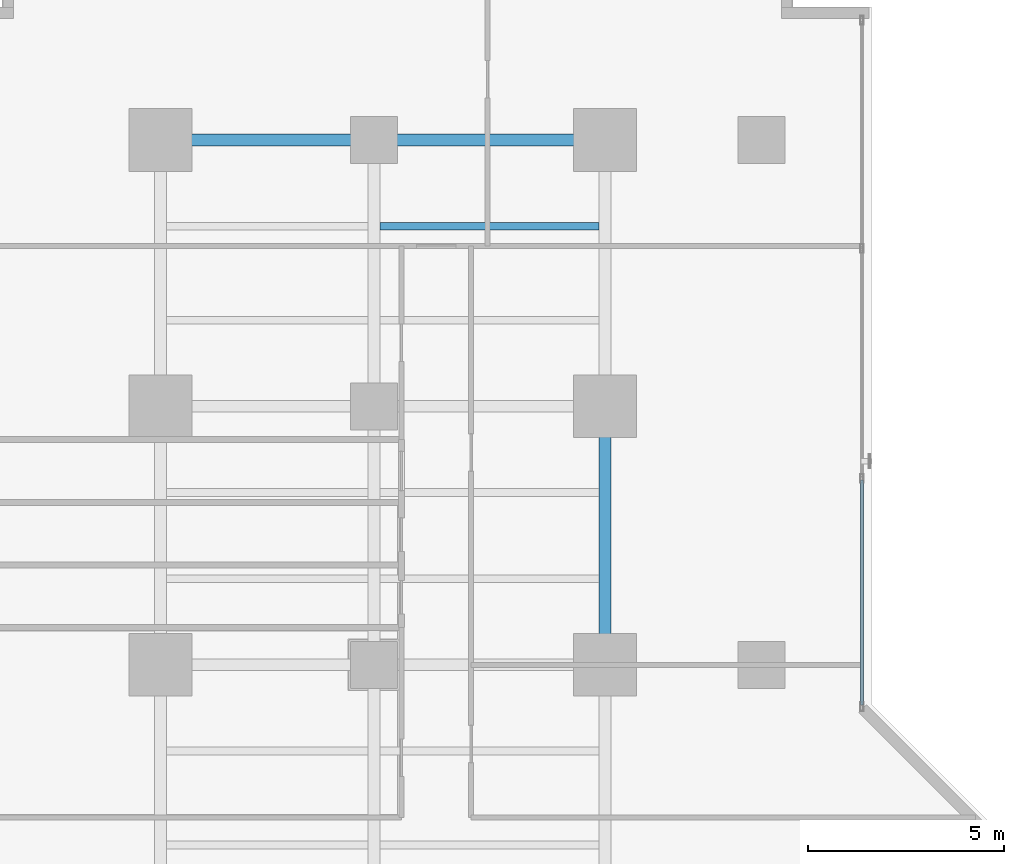
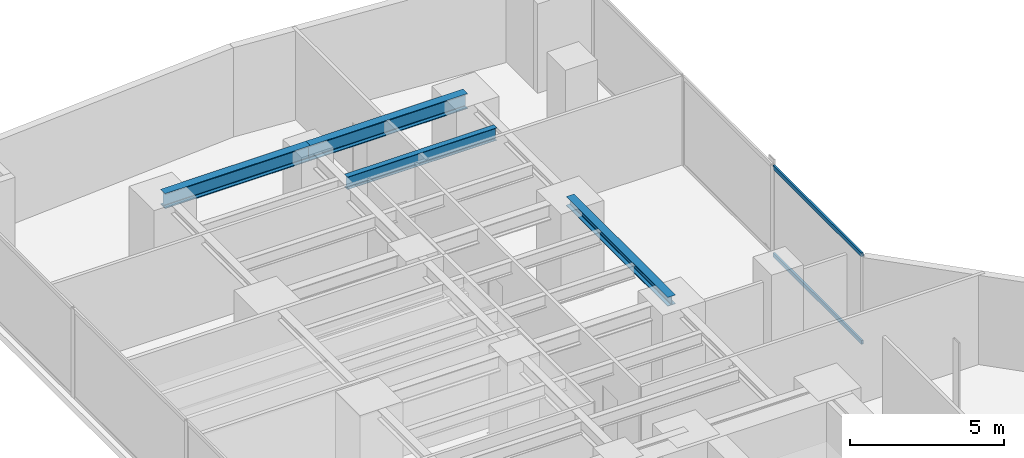
# One storey, part 18 of 26: 4 beams, 2 members, 1 element without a shape of its own.
"""IFC4 building model written with IfcOpenShell, lengths in metres."""

from ifc_helpers import new_model, si_unit, direction, frame, origin, origin_with_axes, origin_2d, place, context, subcontext, project, spatial, hollow_rectangle, i_section, extrude, source, transform, mapped, material, layer, layer_set, material_profile, profile_set, type_object, element, aggregate, save


model = new_model("IFC4")

# Units and contexts
model_context = context("Model", 3, precision=1e-05, world=origin(), true_north=direction((0.0, 1.0)))
body_context = subcontext(model_context, "Body", "Model", "MODEL_VIEW")
ifc_project = project(units=[si_unit("LENGTHUNIT", "METRE"), si_unit("AREAUNIT", "SQUARE_METRE"), si_unit("VOLUMEUNIT", "CUBIC_METRE"), si_unit("PLANEANGLEUNIT", "RADIAN"), si_unit("MASSUNIT", "GRAM", prefix="KILO")], contexts=[model_context])

# Site, building, storey
site_placement = place(None, origin())
site = spatial("IfcSite", under=ifc_project, at=site_placement, CompositionType="ELEMENT")
building_placement = place(site_placement, origin())
building = spatial("IfcBuilding", under=site, at=building_placement, Name="Kolvaren Waterfront Exchange", CompositionType="ELEMENT")
storey_placement = place(building_placement, frame((0.0, 0.0, 44.800048828125)))
storey = spatial("IfcBuildingStorey", under=building, at=storey_placement, Name="L11", CompositionType="ELEMENT", Elevation=44.800048828125)

# Beams
ifc_material_1 = material(Name="Steel S355", Category="steel")
ifc_material_profile_1 = material_profile(ifc_material_1, i_section(OverallWidth=0.300048828125, OverallDepth=0.360107421875, WebThickness=0.012451171875, FlangeThickness=0.0224609375, FilletRadius=0.027099609375, at=origin_2d()), Name="HEB360")
ifc_profile_set_1 = profile_set([ifc_material_profile_1], Name="Steel S355")
beam_type_1 = type_object("IfcBeamType", Name="STR-BM-HEB360", PredefinedType="SPANDREL", material=ifc_profile_set_1)
beam_1_placement = place(storey_placement, frame((18.800048828125, 31.199951171875, 3.35986328125), z_axis=(0.0, 1.0, 0.0), x_axis=(-1.0, 0.0, 0.0)))
element("IfcBeam", 1, at=beam_1_placement, inside=storey, type_object=beam_type_1, Name="L11 north-arm edge beam 2", PredefinedType="SPANDREL", context=body_context, shape_type="SweptSolid", body=[
    extrude(i_section(OverallWidth=0.300048828125, OverallDepth=0.360107421875, WebThickness=0.012451171875, FlangeThickness=0.0224609375, FilletRadius=0.027099609375, at=origin_2d()), origin(), (0.0, 0.0, 1.0), 6.60009765625),
])
ifc_material_profile_2 = material_profile(ifc_material_1, i_section(OverallWidth=0.300048828125, OverallDepth=0.60009765625, WebThickness=0.015380859375, FlangeThickness=0.030029296875, FilletRadius=0.027099609375, at=origin_2d()), Name="HEB600")
ifc_profile_set_2 = profile_set([ifc_material_profile_2], Name="Steel S355")
beam_type_2 = type_object("IfcBeamType", Name="STR-BM-HEB600", PredefinedType="BEAM", material=ifc_profile_set_2)
beam_2_placement = place(storey_placement, frame((7.449951171875, 44.60009765625, 3.239990234375), z_axis=(1.0, 0.0, 0.0), x_axis=(0.0, 1.0, 0.0)))
element("IfcBeam", 2, at=beam_2_placement, inside=storey, type_object=beam_type_2, Name="L11 north-arm girder 4A", PredefinedType="BEAM", context=body_context, shape_type="SweptSolid", body=[
    extrude(i_section(OverallWidth=0.300048828125, OverallDepth=0.60009765625, WebThickness=0.015380859375, FlangeThickness=0.030029296875, FilletRadius=0.027099609375, at=origin_2d()), origin(), (0.0, 0.0, 1.0), 5.449951171875),
])
beam_3_placement = place(storey_placement, frame((12.89990234375, 44.60009765625, 3.239990234375), z_axis=(1.0, 0.0, 0.0), x_axis=(0.0, 1.0, 0.0)))
element("IfcBeam", 3, at=beam_3_placement, inside=storey, type_object=beam_type_2, Name="L11 north-arm girder 4B", PredefinedType="BEAM", context=body_context, shape_type="SweptSolid", body=[
    extrude(i_section(OverallWidth=0.300048828125, OverallDepth=0.60009765625, WebThickness=0.015380859375, FlangeThickness=0.030029296875, FilletRadius=0.027099609375, at=origin_2d()), origin(), (0.0, 0.0, 1.0), 5.900146484375),
])
ifc_material_profile_3 = material_profile(ifc_material_1, i_section(OverallWidth=0.199951171875, OverallDepth=0.5, WebThickness=0.01025390625, FlangeThickness=0.01611328125, FilletRadius=0.02099609375, at=origin_2d()), Name="IPE500")
ifc_profile_set_3 = profile_set([ifc_material_profile_3], Name="Steel S355")
beam_type_3 = type_object("IfcBeamType", Name="STR-BM-IPE500", PredefinedType="JOIST", material=ifc_profile_set_3)
beam_4_placement = place(storey_placement, frame((13.052001953125, 42.39990234375, 3.2900390625), z_axis=(1.0, 0.0, 0.0), x_axis=(0.0, 1.0, 0.0)))
element("IfcBeam", 4, at=beam_4_placement, inside=storey, type_object=beam_type_3, Name="L11 north-arm composite joist 6B", PredefinedType="JOIST", context=body_context, shape_type="SweptSolid", body=[
    extrude(i_section(OverallWidth=0.199951171875, OverallDepth=0.5, WebThickness=0.01025390625, FlangeThickness=0.01611328125, FilletRadius=0.02099609375, at=origin_2d()), origin(), (0.0, 0.0, 1.0), 5.595947265625),
])

# Curtain wall, members
ifc_material_2 = material(Name="Anodised bronze aluminium 6063-T6", Category="aluminium")
ifc_layer = layer(ifc_material_2, 0.219970703125, Name="Anodised bronze aluminium 6063-T6")
ifc_layer_set = layer_set([ifc_layer], Name="Anodised bronze aluminium 6063-T6")
curtain_wall_type = type_object("IfcCurtainWallType", Name="ARC-CW-SYS1", PredefinedType="USERDEFINED", material=ifc_layer_set)
curtain_wall_placement = place(storey_placement, origin())
curtain_wall = element("IfcCurtainWall", 5, at=curtain_wall_placement, inside=storey, type_object=curtain_wall_type, Name="L11 stick curtain wall CW1 (CW-L11-NE)", ObjectType="STICK CURTAIN WALL", PredefinedType="USERDEFINED")
ifc_material_3 = material(Name="Anodised aluminium 6063-T6", Category="aluminium")
ifc_material_profile_4 = material_profile(ifc_material_3, hollow_rectangle(XDim=0.074951171875, YDim=0.159912109375, WallThickness=0.00439453125, at=origin_2d()), Name="ALU-TRN-160x75x4.5")
ifc_profile_set_4 = profile_set([ifc_material_profile_4], Name="Anodised aluminium 6063-T6")
member_type = type_object("IfcMemberType", Name="ARC-CWT-160", PredefinedType="USERDEFINED", material=ifc_profile_set_4)
shared_shape = source(origin_with_axes(), body_context, "Body", "SweptSolid", [
    extrude(hollow_rectangle(XDim=0.074951171875, YDim=0.159912109375, WallThickness=0.00439453125, at=origin_2d()), origin(), (0.0, 0.0, 1.0), 5.75),
])
member_1_placement = place(storey_placement, frame((25.360107421875, 30.169921875, 0.037353515625), z_axis=(0.0, 1.0, 0.0), x_axis=(-1.0, 0.0, 0.0)))
member_1 = element("IfcMember", 6, at=member_1_placement, type_object=member_type, Name="CW1 transom 1.1", ObjectType="TRANSOM", PredefinedType="USERDEFINED", context=body_context, shape_type="MappedRepresentation", body=[
    mapped(shared_shape, transform((0.0, 0.0, 0.0), x_axis=(1.0, 0.0, 0.0), y_axis=(0.0, 1.0, 0.0), z_axis=(0.0, 0.0, 1.0), scale=1.0)),
])
member_2_placement = place(storey_placement, frame((25.360107421875, 30.169921875, 3.50244140625), z_axis=(0.0, 1.0, 0.0), x_axis=(-1.0, 0.0, 0.0)))
member_2 = element("IfcMember", 7, at=member_2_placement, type_object=member_type, Name="CW1 transom 1.2", ObjectType="TRANSOM", PredefinedType="USERDEFINED", context=body_context, shape_type="MappedRepresentation", body=[
    mapped(shared_shape, transform((0.0, 0.0, 0.0), x_axis=(1.0, 0.0, 0.0), y_axis=(0.0, 1.0, 0.0), z_axis=(0.0, 0.0, 1.0), scale=1.0)),
])
aggregate(curtain_wall, [member_1, member_2])

save(model, "model.ifc")
